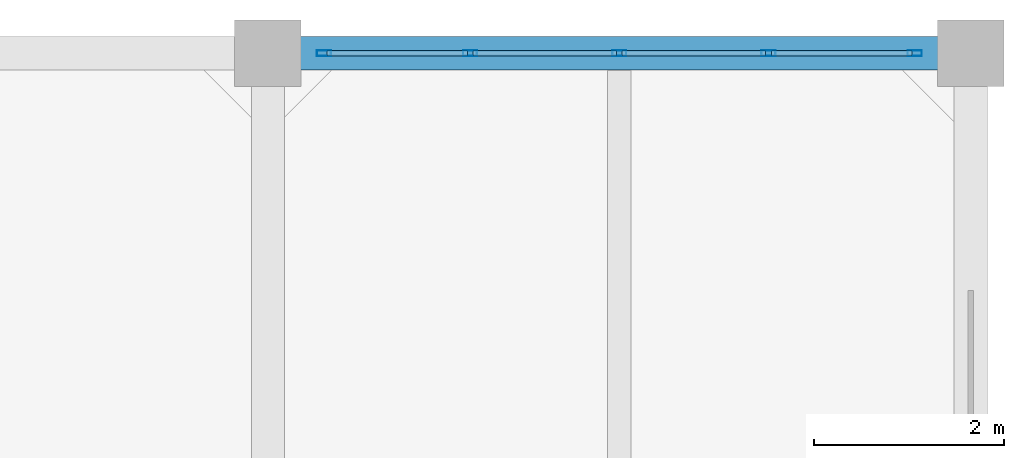
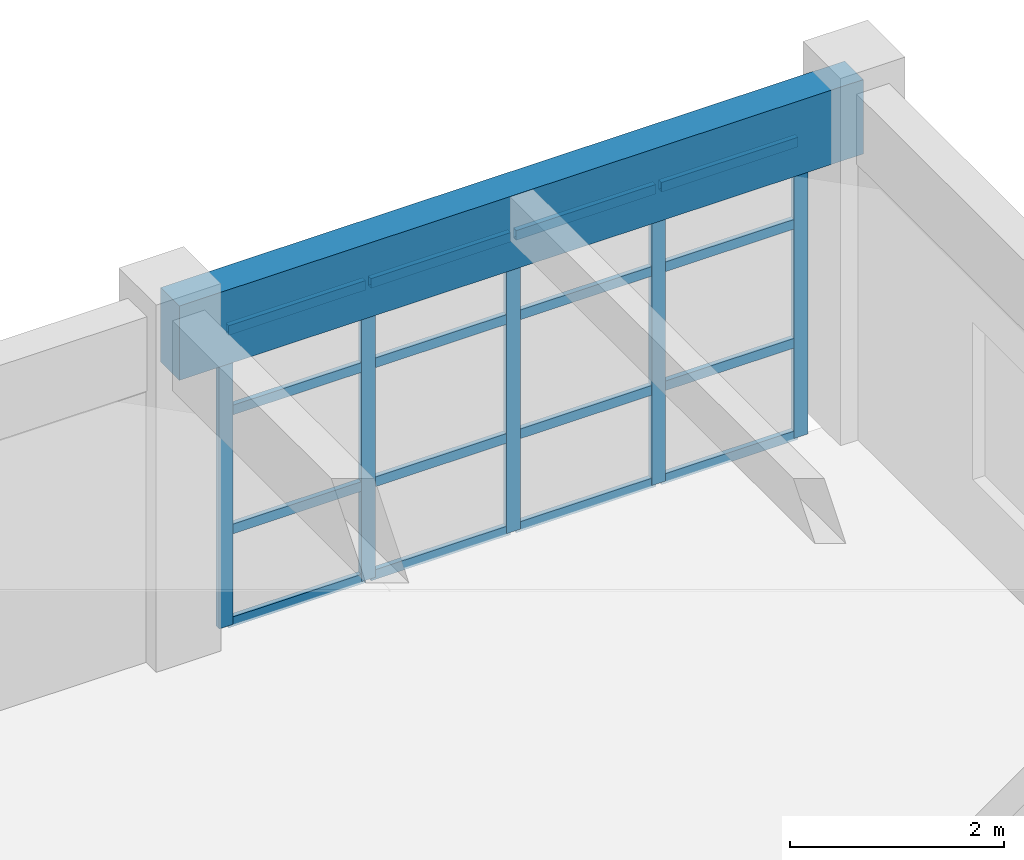
# One storey, part 18 of 27: 21 members, 1 beam, 1 element without a shape of its own.
"""IFC4 building model written with IfcOpenShell, lengths in metres."""

from ifc_helpers import new_model, si_unit, direction, frame, origin, origin_2d, place, context, subcontext, project, spatial, rectangle, hollow_rectangle, extrude, material, layer, layer_set, material_profile, profile_set, type_object, element, aggregate, save


model = new_model("IFC4")

# Units and contexts
model_context = context("Model", 3, precision=1e-05, world=origin(), true_north=direction((0.0, 1.0)))
body_context = subcontext(model_context, "Body", "Model", "MODEL_VIEW")
ifc_project = project(units=[si_unit("LENGTHUNIT", "METRE"), si_unit("AREAUNIT", "SQUARE_METRE"), si_unit("VOLUMEUNIT", "CUBIC_METRE"), si_unit("PLANEANGLEUNIT", "RADIAN"), si_unit("MASSUNIT", "GRAM", prefix="KILO")], contexts=[model_context])

# Site, building, storey
site_placement = place(None, origin())
site = spatial("IfcSite", under=ifc_project, at=site_placement, CompositionType="ELEMENT")
building_placement = place(site_placement, origin())
building = spatial("IfcBuilding", under=site, at=building_placement, Name="Canggui Botanical Conservatory", CompositionType="ELEMENT")
storey_placement = place(building_placement, frame((0.0, 0.0, 36.0)))
storey = spatial("IfcBuildingStorey", under=building, at=storey_placement, Name="L09", CompositionType="ELEMENT", Elevation=36.0)

# Beam
ifc_material_1 = material(Name="Concrete C35", Category="concrete")
ifc_material_profile_1 = material_profile(ifc_material_1, rectangle(XDim=0.35009765625, YDim=0.85009765625, at=origin_2d()), Name="RB 350x850")
ifc_profile_set_1 = profile_set([ifc_material_profile_1], Name="Concrete C35")
beam_type = type_object("IfcBeamType", Name="BM-KL14", PredefinedType="BEAM", material=ifc_profile_set_1)
beam_placement = place(storey_placement, frame((170.0, 74.0, 3.534912109375), z_axis=(1.0, 0.0, 0.0), x_axis=(0.0, 1.0, 0.0)))
element("IfcBeam", 1, at=beam_placement, inside=storey, type_object=beam_type, Name="Frame Girder L09 Y74-4", PredefinedType="BEAM", context=body_context, shape_type="SweptSolid", body=[
    extrude(rectangle(XDim=0.35009765625, YDim=0.85009765625, at=origin_2d()), origin(), (0.0, 0.0, 1.0), 7.39990234375),
])

# Curtain wall, members
ifc_material_2 = material(Name="Thermally Broken Aluminium", Category="aluminium")
ifc_layer = layer(ifc_material_2, 0.14990234375, Name="Thermally Broken Aluminium", Category="aluminium")
ifc_layer_set = layer_set([ifc_layer], Name="Thermally Broken Aluminium")
curtain_wall_type = type_object("IfcCurtainWallType", Name="CW-UNIT-C", PredefinedType="USERDEFINED", material=ifc_layer_set)
curtain_wall_placement = place(storey_placement, origin())
curtain_wall = element("IfcCurtainWall", 2, at=curtain_wall_placement, inside=storey, type_object=curtain_wall_type, Name="Facade Curtain Wall CW-TWR-L09-15", ObjectType="UNITISED CURTAIN WALL", PredefinedType="USERDEFINED")
ifc_material_profile_2 = material_profile(ifc_material_2, hollow_rectangle(XDim=0.06005859375, YDim=0.14990234375, WallThickness=0.00341796875, at=origin_2d()), Name="CWM 60x150x3.5")
ifc_profile_set_2 = profile_set([ifc_material_profile_2], Name="Thermally Broken Aluminium")
member_type_1 = type_object("IfcMemberType", Name="CWM-03", PredefinedType="MULLION", material=ifc_profile_set_2)
member_1_placement = place(storey_placement, frame((170.590087890625, 74.0, 0.0), z_axis=(0.0, 0.0, 1.0), x_axis=(0.0, 1.0, 0.0)))
member_1 = element("IfcMember", 3, at=member_1_placement, type_object=member_type_1, Name="CW-03 mullion 1", PredefinedType="MULLION", context=body_context, shape_type="SweptSolid", body=[
    extrude(hollow_rectangle(XDim=0.06005859375, YDim=0.14990234375, WallThickness=0.00341796875, at=origin_2d()), origin(), (0.0, 0.0, 1.0), 3.39990234375),
])
member_2_placement = place(storey_placement, frame((172.1298828125, 74.0, 0.0), z_axis=(0.0, 0.0, 1.0), x_axis=(0.0, 1.0, 0.0)))
member_2 = element("IfcMember", 4, at=member_2_placement, type_object=member_type_1, Name="CW-03 mullion 2", PredefinedType="MULLION", context=body_context, shape_type="SweptSolid", body=[
    extrude(hollow_rectangle(XDim=0.06005859375, YDim=0.14990234375, WallThickness=0.00341796875, at=origin_2d()), origin(), (0.0, 0.0, 1.0), 3.39990234375),
])
member_3_placement = place(storey_placement, frame((173.699951171875, 74.0, 0.0), z_axis=(0.0, 0.0, 1.0), x_axis=(0.0, 1.0, 0.0)))
member_3 = element("IfcMember", 5, at=member_3_placement, type_object=member_type_1, Name="CW-03 mullion 3", PredefinedType="MULLION", context=body_context, shape_type="SweptSolid", body=[
    extrude(hollow_rectangle(XDim=0.06005859375, YDim=0.14990234375, WallThickness=0.00341796875, at=origin_2d()), origin(), (0.0, 0.0, 1.0), 3.39990234375),
])
member_4_placement = place(storey_placement, frame((175.27001953125, 74.0, 0.0), z_axis=(0.0, 0.0, 1.0), x_axis=(0.0, 1.0, 0.0)))
member_4 = element("IfcMember", 6, at=member_4_placement, type_object=member_type_1, Name="CW-03 mullion 4", PredefinedType="MULLION", context=body_context, shape_type="SweptSolid", body=[
    extrude(hollow_rectangle(XDim=0.06005859375, YDim=0.14990234375, WallThickness=0.00341796875, at=origin_2d()), origin(), (0.0, 0.0, 1.0), 3.39990234375),
])
member_5_placement = place(storey_placement, frame((176.81005859375, 74.0, 0.0), z_axis=(0.0, 0.0, 1.0), x_axis=(0.0, 1.0, 0.0)))
member_5 = element("IfcMember", 7, at=member_5_placement, type_object=member_type_1, Name="CW-03 mullion 5", PredefinedType="MULLION", context=body_context, shape_type="SweptSolid", body=[
    extrude(hollow_rectangle(XDim=0.06005859375, YDim=0.14990234375, WallThickness=0.00341796875, at=origin_2d()), origin(), (0.0, 0.0, 1.0), 3.39990234375),
])
ifc_material_profile_3 = material_profile(ifc_material_2, hollow_rectangle(XDim=0.054931640625, YDim=0.110107421875, WallThickness=0.0029296875, at=origin_2d()), Name="CWT 55x110x3")
ifc_profile_set_3 = profile_set([ifc_material_profile_3], Name="Thermally Broken Aluminium")
member_type_2 = type_object("IfcMemberType", Name="CWT-03", PredefinedType="USERDEFINED", material=ifc_profile_set_3)
member_6_placement = place(storey_placement, frame((170.6201171875, 74.0, 0.027587890625), z_axis=(1.0, 0.0, 0.0), x_axis=(0.0, 1.0, 0.0)))
member_6 = element("IfcMember", 8, at=member_6_placement, type_object=member_type_2, Name="CW-03 transom 1.1", ObjectType="TRANSOM", PredefinedType="USERDEFINED", context=body_context, shape_type="SweptSolid", body=[
    extrude(hollow_rectangle(XDim=0.054931640625, YDim=0.110107421875, WallThickness=0.0029296875, at=origin_2d()), origin(), (0.0, 0.0, 1.0), 1.47998046875),
])
member_7_placement = place(storey_placement, frame((170.6201171875, 74.0, 1.087890625), z_axis=(1.0, 0.0, 0.0), x_axis=(0.0, 1.0, 0.0)))
member_7 = element("IfcMember", 9, at=member_7_placement, type_object=member_type_2, Name="CW-03 transom 1.2", ObjectType="TRANSOM", PredefinedType="USERDEFINED", context=body_context, shape_type="SweptSolid", body=[
    extrude(hollow_rectangle(XDim=0.054931640625, YDim=0.110107421875, WallThickness=0.0029296875, at=origin_2d()), origin(), (0.0, 0.0, 1.0), 1.47998046875),
])
member_8_placement = place(storey_placement, frame((170.6201171875, 74.0, 2.447998046875), z_axis=(1.0, 0.0, 0.0), x_axis=(0.0, 1.0, 0.0)))
member_8 = element("IfcMember", 10, at=member_8_placement, type_object=member_type_2, Name="CW-03 transom 1.3", ObjectType="TRANSOM", PredefinedType="USERDEFINED", context=body_context, shape_type="SweptSolid", body=[
    extrude(hollow_rectangle(XDim=0.054931640625, YDim=0.110107421875, WallThickness=0.0029296875, at=origin_2d()), origin(), (0.0, 0.0, 1.0), 1.47998046875),
])
member_9_placement = place(storey_placement, frame((170.6201171875, 74.0, 3.37255859375), z_axis=(1.0, 0.0, 0.0), x_axis=(0.0, 1.0, 0.0)))
member_9 = element("IfcMember", 11, at=member_9_placement, type_object=member_type_2, Name="CW-03 transom 1.4", ObjectType="TRANSOM", PredefinedType="USERDEFINED", context=body_context, shape_type="SweptSolid", body=[
    extrude(hollow_rectangle(XDim=0.054931640625, YDim=0.110107421875, WallThickness=0.0029296875, at=origin_2d()), origin(), (0.0, 0.0, 1.0), 1.47998046875),
])
member_10_placement = place(storey_placement, frame((172.159912109375, 74.0, 0.027587890625), z_axis=(1.0, 0.0, 0.0), x_axis=(0.0, 1.0, 0.0)))
member_10 = element("IfcMember", 12, at=member_10_placement, type_object=member_type_2, Name="CW-03 transom 2.1", ObjectType="TRANSOM", PredefinedType="USERDEFINED", context=body_context, shape_type="SweptSolid", body=[
    extrude(hollow_rectangle(XDim=0.054931640625, YDim=0.110107421875, WallThickness=0.0029296875, at=origin_2d()), origin(), (0.0, 0.0, 1.0), 1.510009765625),
])
member_11_placement = place(storey_placement, frame((172.159912109375, 74.0, 1.087890625), z_axis=(1.0, 0.0, 0.0), x_axis=(0.0, 1.0, 0.0)))
member_11 = element("IfcMember", 13, at=member_11_placement, type_object=member_type_2, Name="CW-03 transom 2.2", ObjectType="TRANSOM", PredefinedType="USERDEFINED", context=body_context, shape_type="SweptSolid", body=[
    extrude(hollow_rectangle(XDim=0.054931640625, YDim=0.110107421875, WallThickness=0.0029296875, at=origin_2d()), origin(), (0.0, 0.0, 1.0), 1.510009765625),
])
member_12_placement = place(storey_placement, frame((172.159912109375, 74.0, 2.447998046875), z_axis=(1.0, 0.0, 0.0), x_axis=(0.0, 1.0, 0.0)))
member_12 = element("IfcMember", 14, at=member_12_placement, type_object=member_type_2, Name="CW-03 transom 2.3", ObjectType="TRANSOM", PredefinedType="USERDEFINED", context=body_context, shape_type="SweptSolid", body=[
    extrude(hollow_rectangle(XDim=0.054931640625, YDim=0.110107421875, WallThickness=0.0029296875, at=origin_2d()), origin(), (0.0, 0.0, 1.0), 1.510009765625),
])
member_13_placement = place(storey_placement, frame((172.159912109375, 74.0, 3.37255859375), z_axis=(1.0, 0.0, 0.0), x_axis=(0.0, 1.0, 0.0)))
member_13 = element("IfcMember", 15, at=member_13_placement, type_object=member_type_2, Name="CW-03 transom 2.4", ObjectType="TRANSOM", PredefinedType="USERDEFINED", context=body_context, shape_type="SweptSolid", body=[
    extrude(hollow_rectangle(XDim=0.054931640625, YDim=0.110107421875, WallThickness=0.0029296875, at=origin_2d()), origin(), (0.0, 0.0, 1.0), 1.510009765625),
])
member_14_placement = place(storey_placement, frame((173.72998046875, 74.0, 0.027587890625), z_axis=(1.0, 0.0, 0.0), x_axis=(0.0, 1.0, 0.0)))
member_14 = element("IfcMember", 16, at=member_14_placement, type_object=member_type_2, Name="CW-03 transom 3.1", ObjectType="TRANSOM", PredefinedType="USERDEFINED", context=body_context, shape_type="SweptSolid", body=[
    extrude(hollow_rectangle(XDim=0.054931640625, YDim=0.110107421875, WallThickness=0.0029296875, at=origin_2d()), origin(), (0.0, 0.0, 1.0), 1.510009765625),
])
member_15_placement = place(storey_placement, frame((173.72998046875, 74.0, 1.087890625), z_axis=(1.0, 0.0, 0.0), x_axis=(0.0, 1.0, 0.0)))
member_15 = element("IfcMember", 17, at=member_15_placement, type_object=member_type_2, Name="CW-03 transom 3.2", ObjectType="TRANSOM", PredefinedType="USERDEFINED", context=body_context, shape_type="SweptSolid", body=[
    extrude(hollow_rectangle(XDim=0.054931640625, YDim=0.110107421875, WallThickness=0.0029296875, at=origin_2d()), origin(), (0.0, 0.0, 1.0), 1.510009765625),
])
member_16_placement = place(storey_placement, frame((173.72998046875, 74.0, 2.447998046875), z_axis=(1.0, 0.0, 0.0), x_axis=(0.0, 1.0, 0.0)))
member_16 = element("IfcMember", 18, at=member_16_placement, type_object=member_type_2, Name="CW-03 transom 3.3", ObjectType="TRANSOM", PredefinedType="USERDEFINED", context=body_context, shape_type="SweptSolid", body=[
    extrude(hollow_rectangle(XDim=0.054931640625, YDim=0.110107421875, WallThickness=0.0029296875, at=origin_2d()), origin(), (0.0, 0.0, 1.0), 1.510009765625),
])
member_17_placement = place(storey_placement, frame((173.72998046875, 74.0, 3.37255859375), z_axis=(1.0, 0.0, 0.0), x_axis=(0.0, 1.0, 0.0)))
member_17 = element("IfcMember", 19, at=member_17_placement, type_object=member_type_2, Name="CW-03 transom 3.4", ObjectType="TRANSOM", PredefinedType="USERDEFINED", context=body_context, shape_type="SweptSolid", body=[
    extrude(hollow_rectangle(XDim=0.054931640625, YDim=0.110107421875, WallThickness=0.0029296875, at=origin_2d()), origin(), (0.0, 0.0, 1.0), 1.510009765625),
])
member_18_placement = place(storey_placement, frame((175.300048828125, 74.0, 0.027587890625), z_axis=(1.0, 0.0, 0.0), x_axis=(0.0, 1.0, 0.0)))
member_18 = element("IfcMember", 20, at=member_18_placement, type_object=member_type_2, Name="CW-03 transom 4.1", ObjectType="TRANSOM", PredefinedType="USERDEFINED", context=body_context, shape_type="SweptSolid", body=[
    extrude(hollow_rectangle(XDim=0.054931640625, YDim=0.110107421875, WallThickness=0.0029296875, at=origin_2d()), origin(), (0.0, 0.0, 1.0), 1.47998046875),
])
member_19_placement = place(storey_placement, frame((175.300048828125, 74.0, 1.087890625), z_axis=(1.0, 0.0, 0.0), x_axis=(0.0, 1.0, 0.0)))
member_19 = element("IfcMember", 21, at=member_19_placement, type_object=member_type_2, Name="CW-03 transom 4.2", ObjectType="TRANSOM", PredefinedType="USERDEFINED", context=body_context, shape_type="SweptSolid", body=[
    extrude(hollow_rectangle(XDim=0.054931640625, YDim=0.110107421875, WallThickness=0.0029296875, at=origin_2d()), origin(), (0.0, 0.0, 1.0), 1.47998046875),
])
member_20_placement = place(storey_placement, frame((175.300048828125, 74.0, 2.447998046875), z_axis=(1.0, 0.0, 0.0), x_axis=(0.0, 1.0, 0.0)))
member_20 = element("IfcMember", 22, at=member_20_placement, type_object=member_type_2, Name="CW-03 transom 4.3", ObjectType="TRANSOM", PredefinedType="USERDEFINED", context=body_context, shape_type="SweptSolid", body=[
    extrude(hollow_rectangle(XDim=0.054931640625, YDim=0.110107421875, WallThickness=0.0029296875, at=origin_2d()), origin(), (0.0, 0.0, 1.0), 1.47998046875),
])
member_21_placement = place(storey_placement, frame((175.300048828125, 74.0, 3.37255859375), z_axis=(1.0, 0.0, 0.0), x_axis=(0.0, 1.0, 0.0)))
member_21 = element("IfcMember", 23, at=member_21_placement, type_object=member_type_2, Name="CW-03 transom 4.4", ObjectType="TRANSOM", PredefinedType="USERDEFINED", context=body_context, shape_type="SweptSolid", body=[
    extrude(hollow_rectangle(XDim=0.054931640625, YDim=0.110107421875, WallThickness=0.0029296875, at=origin_2d()), origin(), (0.0, 0.0, 1.0), 1.47998046875),
])
aggregate(curtain_wall, [member_1, member_2, member_3, member_4, member_5, member_6, member_7, member_8, member_9, member_10, member_11, member_12, member_13, member_14, member_15, member_16, member_17, member_18, member_19, member_20, member_21])

save(model, "model.ifc")
